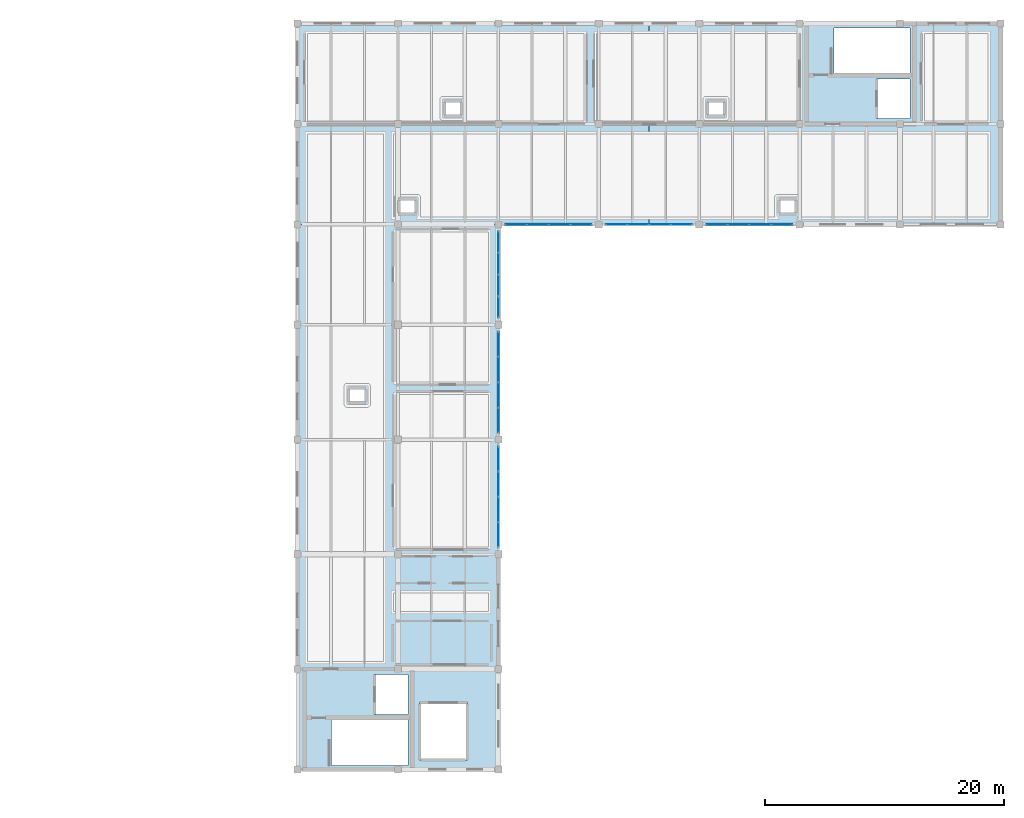
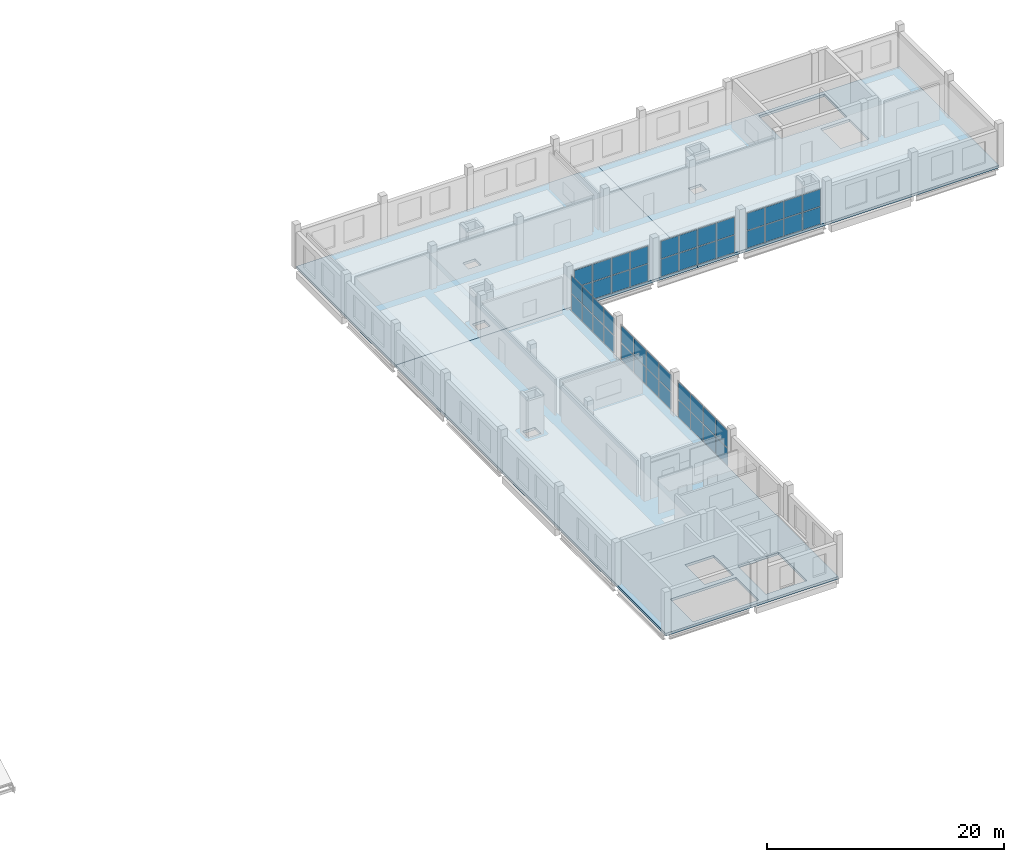
# One storey, part 40 of 54: 48 plates, 3 slabs, 6 elements without a shape of their own.
"""IFC4 building model written with IfcOpenShell, lengths in metres."""

from ifc_helpers import new_model, si_unit, direction, frame, origin, origin_2d, place, context, subcontext, project, spatial, polyline, rectangle, outline, extrude, material, layer, layer_set, type_object, element, aggregate, save


model = new_model("IFC4")

# Units and contexts
model_context = context("Model", 3, precision=1e-05, world=origin(), true_north=direction((0.0, 1.0)))
body_context = subcontext(model_context, "Body", "Model", "MODEL_VIEW")
ifc_project = project(units=[si_unit("LENGTHUNIT", "METRE"), si_unit("AREAUNIT", "SQUARE_METRE"), si_unit("VOLUMEUNIT", "CUBIC_METRE"), si_unit("PLANEANGLEUNIT", "RADIAN"), si_unit("MASSUNIT", "GRAM", prefix="KILO")], contexts=[model_context])

# Site, building, storey
site_placement = place(None, origin())
site = spatial("IfcSite", under=ifc_project, at=site_placement, CompositionType="ELEMENT")
building_placement = place(site_placement, origin())
building = spatial("IfcBuilding", under=site, at=building_placement, Name="Zulmaris Art Gallery", CompositionType="ELEMENT")
storey_placement = place(building_placement, frame((0.0, 0.0, 26.39990234375)))
storey = spatial("IfcBuildingStorey", under=building, at=storey_placement, Name="L05", CompositionType="ELEMENT", Elevation=26.39990234375)

# Curtain wall, plates
ifc_material_1 = material(Name="Courtyard Artists Studio Curtain Wall", Category="aluminium")
ifc_layer_1 = layer(ifc_material_1, 0.179931640625)
ifc_layer_set_1 = layer_set([ifc_layer_1], Name="Courtyard Artists Studio Curtain Wall")
curtain_wall_type = type_object("IfcCurtainWallType", Name="CW-CW04", PredefinedType="NOTDEFINED", material=ifc_layer_set_1)
curtain_wall_1_placement = place(storey_placement, origin())
curtain_wall_1 = element("IfcCurtainWall", 1, at=curtain_wall_1_placement, inside=storey, type_object=curtain_wall_type, Name="L05 curtain wall 165", PredefinedType="NOTDEFINED")
ifc_material_2 = material(Name="Triple Solar-Control Laminated Glass", Category="glass")
ifc_layer_2 = layer(ifc_material_2, 0.035888671875)
ifc_layer_set_2 = layer_set([ifc_layer_2], Name="Triple Solar-Control Laminated Glass")
plate_type = type_object("IfcPlateType", Name="CWPAN-GLZ", PredefinedType="CURTAIN_PANEL", material=ifc_layer_set_2)
plate_1_placement = place(storey_placement, frame((158.39990234375, 32.82373046875, 0.0751953125), z_axis=(0.0, 0.0, 1.0), x_axis=(0.0, 1.0, 0.0)))
plate_1 = element("IfcPlate", 2, at=plate_1_placement, type_object=plate_type, Name="CW04 panel 1.1", PredefinedType="CURTAIN_PANEL", context=body_context, shape_type="SweptSolid", body=[
    extrude(rectangle(XDim=2.017578125, YDim=0.031982421875, at=origin_2d()), origin(), (0.0, 0.0, 1.0), 1.777587890625),
])
plate_2_placement = place(storey_placement, frame((158.39990234375, 32.82373046875, 1.927734375), z_axis=(0.0, 0.0, 1.0), x_axis=(0.0, 1.0, 0.0)))
plate_2 = element("IfcPlate", 3, at=plate_2_placement, type_object=plate_type, Name="CW04 panel 1.2", PredefinedType="CURTAIN_PANEL", context=body_context, shape_type="SweptSolid", body=[
    extrude(rectangle(XDim=2.017578125, YDim=0.031982421875, at=origin_2d()), origin(), (0.0, 0.0, 1.0), 1.777587890625),
])
plate_3_placement = place(storey_placement, frame((158.39990234375, 34.93505859375, 0.0751953125), z_axis=(0.0, 0.0, 1.0), x_axis=(0.0, 1.0, 0.0)))
plate_3 = element("IfcPlate", 4, at=plate_3_placement, type_object=plate_type, Name="CW04 panel 2.1", PredefinedType="CURTAIN_PANEL", context=body_context, shape_type="SweptSolid", body=[
    extrude(rectangle(XDim=2.054931640625, YDim=0.031982421875, at=origin_2d()), origin(), (0.0, 0.0, 1.0), 1.777587890625),
])
plate_4_placement = place(storey_placement, frame((158.39990234375, 34.93505859375, 1.927734375), z_axis=(0.0, 0.0, 1.0), x_axis=(0.0, 1.0, 0.0)))
plate_4 = element("IfcPlate", 5, at=plate_4_placement, type_object=plate_type, Name="CW04 panel 2.2", PredefinedType="CURTAIN_PANEL", context=body_context, shape_type="SweptSolid", body=[
    extrude(rectangle(XDim=2.054931640625, YDim=0.031982421875, at=origin_2d()), origin(), (0.0, 0.0, 1.0), 1.777587890625),
])
plate_5_placement = place(storey_placement, frame((158.39990234375, 37.06494140625, 0.0751953125), z_axis=(0.0, 0.0, 1.0), x_axis=(0.0, 1.0, 0.0)))
plate_5 = element("IfcPlate", 6, at=plate_5_placement, type_object=plate_type, Name="CW04 panel 3.1", PredefinedType="CURTAIN_PANEL", context=body_context, shape_type="SweptSolid", body=[
    extrude(rectangle(XDim=2.054931640625, YDim=0.031982421875, at=origin_2d()), origin(), (0.0, 0.0, 1.0), 1.777587890625),
])
plate_6_placement = place(storey_placement, frame((158.39990234375, 37.06494140625, 1.927734375), z_axis=(0.0, 0.0, 1.0), x_axis=(0.0, 1.0, 0.0)))
plate_6 = element("IfcPlate", 7, at=plate_6_placement, type_object=plate_type, Name="CW04 panel 3.2", PredefinedType="CURTAIN_PANEL", context=body_context, shape_type="SweptSolid", body=[
    extrude(rectangle(XDim=2.054931640625, YDim=0.031982421875, at=origin_2d()), origin(), (0.0, 0.0, 1.0), 1.777587890625),
])
plate_7_placement = place(storey_placement, frame((158.39990234375, 39.17626953125, 0.0751953125), z_axis=(0.0, 0.0, 1.0), x_axis=(0.0, 1.0, 0.0)))
plate_7 = element("IfcPlate", 8, at=plate_7_placement, type_object=plate_type, Name="CW04 panel 4.1", PredefinedType="CURTAIN_PANEL", context=body_context, shape_type="SweptSolid", body=[
    extrude(rectangle(XDim=2.017578125, YDim=0.031982421875, at=origin_2d()), origin(), (0.0, 0.0, 1.0), 1.777587890625),
])
plate_8_placement = place(storey_placement, frame((158.39990234375, 39.17626953125, 1.927734375), z_axis=(0.0, 0.0, 1.0), x_axis=(0.0, 1.0, 0.0)))
plate_8 = element("IfcPlate", 9, at=plate_8_placement, type_object=plate_type, Name="CW04 panel 4.2", PredefinedType="CURTAIN_PANEL", context=body_context, shape_type="SweptSolid", body=[
    extrude(rectangle(XDim=2.017578125, YDim=0.031982421875, at=origin_2d()), origin(), (0.0, 0.0, 1.0), 1.777587890625),
])
aggregate(curtain_wall_1, [plate_1, plate_2, plate_3, plate_4, plate_5, plate_6, plate_7, plate_8])

curtain_wall_2_placement = place(storey_placement, origin())
curtain_wall_2 = element("IfcCurtainWall", 10, at=curtain_wall_2_placement, inside=storey, type_object=curtain_wall_type, Name="L05 curtain wall 166", PredefinedType="NOTDEFINED")
plate_9_placement = place(storey_placement, frame((158.39990234375, 42.423828125, 0.0751953125), z_axis=(0.0, 0.0, 1.0), x_axis=(0.0, 1.0, 0.0)))
plate_9 = element("IfcPlate", 11, at=plate_9_placement, type_object=plate_type, Name="CW04 panel 1.1", PredefinedType="CURTAIN_PANEL", context=body_context, shape_type="SweptSolid", body=[
    extrude(rectangle(XDim=2.017578125, YDim=0.031982421875, at=origin_2d()), origin(), (0.0, 0.0, 1.0), 1.75244140625),
])
plate_10_placement = place(storey_placement, frame((158.39990234375, 42.423828125, 1.902587890625), z_axis=(0.0, 0.0, 1.0), x_axis=(0.0, 1.0, 0.0)))
plate_10 = element("IfcPlate", 12, at=plate_10_placement, type_object=plate_type, Name="CW04 panel 1.2", PredefinedType="CURTAIN_PANEL", context=body_context, shape_type="SweptSolid", body=[
    extrude(rectangle(XDim=2.017578125, YDim=0.031982421875, at=origin_2d()), origin(), (0.0, 0.0, 1.0), 1.75244140625),
])
plate_11_placement = place(storey_placement, frame((158.39990234375, 44.534912109375, 0.0751953125), z_axis=(0.0, 0.0, 1.0), x_axis=(0.0, 1.0, 0.0)))
plate_11 = element("IfcPlate", 13, at=plate_11_placement, type_object=plate_type, Name="CW04 panel 2.1", PredefinedType="CURTAIN_PANEL", context=body_context, shape_type="SweptSolid", body=[
    extrude(rectangle(XDim=2.054931640625, YDim=0.031982421875, at=origin_2d()), origin(), (0.0, 0.0, 1.0), 1.75244140625),
])
plate_12_placement = place(storey_placement, frame((158.39990234375, 44.534912109375, 1.902587890625), z_axis=(0.0, 0.0, 1.0), x_axis=(0.0, 1.0, 0.0)))
plate_12 = element("IfcPlate", 14, at=plate_12_placement, type_object=plate_type, Name="CW04 panel 2.2", PredefinedType="CURTAIN_PANEL", context=body_context, shape_type="SweptSolid", body=[
    extrude(rectangle(XDim=2.054931640625, YDim=0.031982421875, at=origin_2d()), origin(), (0.0, 0.0, 1.0), 1.75244140625),
])
plate_13_placement = place(storey_placement, frame((158.39990234375, 46.6650390625, 0.0751953125), z_axis=(0.0, 0.0, 1.0), x_axis=(0.0, 1.0, 0.0)))
plate_13 = element("IfcPlate", 15, at=plate_13_placement, type_object=plate_type, Name="CW04 panel 3.1", PredefinedType="CURTAIN_PANEL", context=body_context, shape_type="SweptSolid", body=[
    extrude(rectangle(XDim=2.054931640625, YDim=0.031982421875, at=origin_2d()), origin(), (0.0, 0.0, 1.0), 1.75244140625),
])
plate_14_placement = place(storey_placement, frame((158.39990234375, 46.6650390625, 1.902587890625), z_axis=(0.0, 0.0, 1.0), x_axis=(0.0, 1.0, 0.0)))
plate_14 = element("IfcPlate", 16, at=plate_14_placement, type_object=plate_type, Name="CW04 panel 3.2", PredefinedType="CURTAIN_PANEL", context=body_context, shape_type="SweptSolid", body=[
    extrude(rectangle(XDim=2.054931640625, YDim=0.031982421875, at=origin_2d()), origin(), (0.0, 0.0, 1.0), 1.75244140625),
])
plate_15_placement = place(storey_placement, frame((158.39990234375, 48.7763671875, 0.0751953125), z_axis=(0.0, 0.0, 1.0), x_axis=(0.0, 1.0, 0.0)))
plate_15 = element("IfcPlate", 17, at=plate_15_placement, type_object=plate_type, Name="CW04 panel 4.1", PredefinedType="CURTAIN_PANEL", context=body_context, shape_type="SweptSolid", body=[
    extrude(rectangle(XDim=2.017578125, YDim=0.031982421875, at=origin_2d()), origin(), (0.0, 0.0, 1.0), 1.75244140625),
])
plate_16_placement = place(storey_placement, frame((158.39990234375, 48.7763671875, 1.902587890625), z_axis=(0.0, 0.0, 1.0), x_axis=(0.0, 1.0, 0.0)))
plate_16 = element("IfcPlate", 18, at=plate_16_placement, type_object=plate_type, Name="CW04 panel 4.2", PredefinedType="CURTAIN_PANEL", context=body_context, shape_type="SweptSolid", body=[
    extrude(rectangle(XDim=2.017578125, YDim=0.031982421875, at=origin_2d()), origin(), (0.0, 0.0, 1.0), 1.75244140625),
])
aggregate(curtain_wall_2, [plate_9, plate_10, plate_11, plate_12, plate_13, plate_14, plate_15, plate_16])

curtain_wall_3_placement = place(storey_placement, origin())
curtain_wall_3 = element("IfcCurtainWall", 19, at=curtain_wall_3_placement, inside=storey, type_object=curtain_wall_type, Name="L05 curtain wall 167", PredefinedType="NOTDEFINED")
plate_17_placement = place(storey_placement, frame((158.39990234375, 51.873779296875, 0.0751953125), z_axis=(0.0, 0.0, 1.0), x_axis=(0.0, 1.0, 0.0)))
plate_17 = element("IfcPlate", 20, at=plate_17_placement, type_object=plate_type, Name="CW04 panel 1.1", PredefinedType="CURTAIN_PANEL", context=body_context, shape_type="SweptSolid", body=[
    extrude(rectangle(XDim=1.717529296875, YDim=0.031982421875, at=origin_2d()), origin(), (0.0, 0.0, 1.0), 1.757568359375),
])
plate_18_placement = place(storey_placement, frame((158.39990234375, 51.873779296875, 1.90771484375), z_axis=(0.0, 0.0, 1.0), x_axis=(0.0, 1.0, 0.0)))
plate_18 = element("IfcPlate", 21, at=plate_18_placement, type_object=plate_type, Name="CW04 panel 1.2", PredefinedType="CURTAIN_PANEL", context=body_context, shape_type="SweptSolid", body=[
    extrude(rectangle(XDim=1.717529296875, YDim=0.031982421875, at=origin_2d()), origin(), (0.0, 0.0, 1.0), 1.757568359375),
])
plate_19_placement = place(storey_placement, frame((158.39990234375, 53.68505859375, 0.0751953125), z_axis=(0.0, 0.0, 1.0), x_axis=(0.0, 1.0, 0.0)))
plate_19 = element("IfcPlate", 22, at=plate_19_placement, type_object=plate_type, Name="CW04 panel 2.1", PredefinedType="CURTAIN_PANEL", context=body_context, shape_type="SweptSolid", body=[
    extrude(rectangle(XDim=1.7548828125, YDim=0.031982421875, at=origin_2d()), origin(), (0.0, 0.0, 1.0), 1.757568359375),
])
plate_20_placement = place(storey_placement, frame((158.39990234375, 53.68505859375, 1.90771484375), z_axis=(0.0, 0.0, 1.0), x_axis=(0.0, 1.0, 0.0)))
plate_20 = element("IfcPlate", 23, at=plate_20_placement, type_object=plate_type, Name="CW04 panel 2.2", PredefinedType="CURTAIN_PANEL", context=body_context, shape_type="SweptSolid", body=[
    extrude(rectangle(XDim=1.7548828125, YDim=0.031982421875, at=origin_2d()), origin(), (0.0, 0.0, 1.0), 1.757568359375),
])
plate_21_placement = place(storey_placement, frame((158.39990234375, 55.514892578125, 0.0751953125), z_axis=(0.0, 0.0, 1.0), x_axis=(0.0, 1.0, 0.0)))
plate_21 = element("IfcPlate", 24, at=plate_21_placement, type_object=plate_type, Name="CW04 panel 3.1", PredefinedType="CURTAIN_PANEL", context=body_context, shape_type="SweptSolid", body=[
    extrude(rectangle(XDim=1.7548828125, YDim=0.031982421875, at=origin_2d()), origin(), (0.0, 0.0, 1.0), 1.757568359375),
])
plate_22_placement = place(storey_placement, frame((158.39990234375, 55.514892578125, 1.90771484375), z_axis=(0.0, 0.0, 1.0), x_axis=(0.0, 1.0, 0.0)))
plate_22 = element("IfcPlate", 25, at=plate_22_placement, type_object=plate_type, Name="CW04 panel 3.2", PredefinedType="CURTAIN_PANEL", context=body_context, shape_type="SweptSolid", body=[
    extrude(rectangle(XDim=1.7548828125, YDim=0.031982421875, at=origin_2d()), origin(), (0.0, 0.0, 1.0), 1.757568359375),
])
plate_23_placement = place(storey_placement, frame((158.39990234375, 57.326171875, 0.0751953125), z_axis=(0.0, 0.0, 1.0), x_axis=(0.0, 1.0, 0.0)))
plate_23 = element("IfcPlate", 26, at=plate_23_placement, type_object=plate_type, Name="CW04 panel 4.1", PredefinedType="CURTAIN_PANEL", context=body_context, shape_type="SweptSolid", body=[
    extrude(rectangle(XDim=1.717529296875, YDim=0.031982421875, at=origin_2d()), origin(), (0.0, 0.0, 1.0), 1.757568359375),
])
plate_24_placement = place(storey_placement, frame((158.39990234375, 57.326171875, 1.90771484375), z_axis=(0.0, 0.0, 1.0), x_axis=(0.0, 1.0, 0.0)))
plate_24 = element("IfcPlate", 27, at=plate_24_placement, type_object=plate_type, Name="CW04 panel 4.2", PredefinedType="CURTAIN_PANEL", context=body_context, shape_type="SweptSolid", body=[
    extrude(rectangle(XDim=1.717529296875, YDim=0.031982421875, at=origin_2d()), origin(), (0.0, 0.0, 1.0), 1.757568359375),
])
aggregate(curtain_wall_3, [plate_17, plate_18, plate_19, plate_20, plate_21, plate_22, plate_23, plate_24])

curtain_wall_4_placement = place(storey_placement, origin())
curtain_wall_4 = element("IfcCurtainWall", 28, at=curtain_wall_4_placement, inside=storey, type_object=curtain_wall_type, Name="L05 curtain wall 168", PredefinedType="NOTDEFINED")
plate_25_placement = place(storey_placement, frame((165.326171875, 58.800048828125, 0.0751953125), z_axis=(0.0, 0.0, 1.0), x_axis=(-1.0, 0.0, 0.0)))
plate_25 = element("IfcPlate", 29, at=plate_25_placement, type_object=plate_type, Name="CW04 panel 1.1", PredefinedType="CURTAIN_PANEL", context=body_context, shape_type="SweptSolid", body=[
    extrude(rectangle(XDim=1.717529296875, YDim=0.031982421875, at=origin_2d()), origin(), (0.0, 0.0, 1.0), 1.757568359375),
])
plate_26_placement = place(storey_placement, frame((165.326171875, 58.800048828125, 1.90771484375), z_axis=(0.0, 0.0, 1.0), x_axis=(-1.0, 0.0, 0.0)))
plate_26 = element("IfcPlate", 30, at=plate_26_placement, type_object=plate_type, Name="CW04 panel 1.2", PredefinedType="CURTAIN_PANEL", context=body_context, shape_type="SweptSolid", body=[
    extrude(rectangle(XDim=1.717529296875, YDim=0.031982421875, at=origin_2d()), origin(), (0.0, 0.0, 1.0), 1.757568359375),
])
plate_27_placement = place(storey_placement, frame((163.514892578125, 58.800048828125, 0.0751953125), z_axis=(0.0, 0.0, 1.0), x_axis=(-1.0, 0.0, 0.0)))
plate_27 = element("IfcPlate", 31, at=plate_27_placement, type_object=plate_type, Name="CW04 panel 2.1", PredefinedType="CURTAIN_PANEL", context=body_context, shape_type="SweptSolid", body=[
    extrude(rectangle(XDim=1.7548828125, YDim=0.031982421875, at=origin_2d()), origin(), (0.0, 0.0, 1.0), 1.757568359375),
])
plate_28_placement = place(storey_placement, frame((163.514892578125, 58.800048828125, 1.90771484375), z_axis=(0.0, 0.0, 1.0), x_axis=(-1.0, 0.0, 0.0)))
plate_28 = element("IfcPlate", 32, at=plate_28_placement, type_object=plate_type, Name="CW04 panel 2.2", PredefinedType="CURTAIN_PANEL", context=body_context, shape_type="SweptSolid", body=[
    extrude(rectangle(XDim=1.7548828125, YDim=0.031982421875, at=origin_2d()), origin(), (0.0, 0.0, 1.0), 1.757568359375),
])
plate_29_placement = place(storey_placement, frame((161.68505859375, 58.800048828125, 0.0751953125), z_axis=(0.0, 0.0, 1.0), x_axis=(-1.0, 0.0, 0.0)))
plate_29 = element("IfcPlate", 33, at=plate_29_placement, type_object=plate_type, Name="CW04 panel 3.1", PredefinedType="CURTAIN_PANEL", context=body_context, shape_type="SweptSolid", body=[
    extrude(rectangle(XDim=1.7548828125, YDim=0.031982421875, at=origin_2d()), origin(), (0.0, 0.0, 1.0), 1.757568359375),
])
plate_30_placement = place(storey_placement, frame((161.68505859375, 58.800048828125, 1.90771484375), z_axis=(0.0, 0.0, 1.0), x_axis=(-1.0, 0.0, 0.0)))
plate_30 = element("IfcPlate", 34, at=plate_30_placement, type_object=plate_type, Name="CW04 panel 3.2", PredefinedType="CURTAIN_PANEL", context=body_context, shape_type="SweptSolid", body=[
    extrude(rectangle(XDim=1.7548828125, YDim=0.031982421875, at=origin_2d()), origin(), (0.0, 0.0, 1.0), 1.757568359375),
])
plate_31_placement = place(storey_placement, frame((159.873779296875, 58.800048828125, 0.0751953125), z_axis=(0.0, 0.0, 1.0), x_axis=(-1.0, 0.0, 0.0)))
plate_31 = element("IfcPlate", 35, at=plate_31_placement, type_object=plate_type, Name="CW04 panel 4.1", PredefinedType="CURTAIN_PANEL", context=body_context, shape_type="SweptSolid", body=[
    extrude(rectangle(XDim=1.717529296875, YDim=0.031982421875, at=origin_2d()), origin(), (0.0, 0.0, 1.0), 1.757568359375),
])
plate_32_placement = place(storey_placement, frame((159.873779296875, 58.800048828125, 1.90771484375), z_axis=(0.0, 0.0, 1.0), x_axis=(-1.0, 0.0, 0.0)))
plate_32 = element("IfcPlate", 36, at=plate_32_placement, type_object=plate_type, Name="CW04 panel 4.2", PredefinedType="CURTAIN_PANEL", context=body_context, shape_type="SweptSolid", body=[
    extrude(rectangle(XDim=1.717529296875, YDim=0.031982421875, at=origin_2d()), origin(), (0.0, 0.0, 1.0), 1.757568359375),
])
aggregate(curtain_wall_4, [plate_25, plate_26, plate_27, plate_28, plate_29, plate_30, plate_31, plate_32])

curtain_wall_5_placement = place(storey_placement, origin())
curtain_wall_5 = element("IfcCurtainWall", 37, at=curtain_wall_5_placement, inside=storey, type_object=curtain_wall_type, Name="L05 curtain wall 169", PredefinedType="NOTDEFINED")
plate_33_placement = place(storey_placement, frame((173.726318359375, 58.800048828125, 0.0751953125), z_axis=(0.0, 0.0, 1.0), x_axis=(-1.0, 0.0, 0.0)))
plate_33 = element("IfcPlate", 38, at=plate_33_placement, type_object=plate_type, Name="CW04 panel 1.1", PredefinedType="CURTAIN_PANEL", context=body_context, shape_type="SweptSolid", body=[
    extrude(rectangle(XDim=1.717529296875, YDim=0.031982421875, at=origin_2d()), origin(), (0.0, 0.0, 1.0), 1.777587890625),
])
plate_34_placement = place(storey_placement, frame((173.726318359375, 58.800048828125, 1.927734375), z_axis=(0.0, 0.0, 1.0), x_axis=(-1.0, 0.0, 0.0)))
plate_34 = element("IfcPlate", 39, at=plate_34_placement, type_object=plate_type, Name="CW04 panel 1.2", PredefinedType="CURTAIN_PANEL", context=body_context, shape_type="SweptSolid", body=[
    extrude(rectangle(XDim=1.717529296875, YDim=0.031982421875, at=origin_2d()), origin(), (0.0, 0.0, 1.0), 1.777587890625),
])
plate_35_placement = place(storey_placement, frame((171.9150390625, 58.800048828125, 0.0751953125), z_axis=(0.0, 0.0, 1.0), x_axis=(-1.0, 0.0, 0.0)))
plate_35 = element("IfcPlate", 40, at=plate_35_placement, type_object=plate_type, Name="CW04 panel 2.1", PredefinedType="CURTAIN_PANEL", context=body_context, shape_type="SweptSolid", body=[
    extrude(rectangle(XDim=1.7548828125, YDim=0.031982421875, at=origin_2d()), origin(), (0.0, 0.0, 1.0), 1.777587890625),
])
plate_36_placement = place(storey_placement, frame((171.9150390625, 58.800048828125, 1.927734375), z_axis=(0.0, 0.0, 1.0), x_axis=(-1.0, 0.0, 0.0)))
plate_36 = element("IfcPlate", 41, at=plate_36_placement, type_object=plate_type, Name="CW04 panel 2.2", PredefinedType="CURTAIN_PANEL", context=body_context, shape_type="SweptSolid", body=[
    extrude(rectangle(XDim=1.7548828125, YDim=0.031982421875, at=origin_2d()), origin(), (0.0, 0.0, 1.0), 1.777587890625),
])
plate_37_placement = place(storey_placement, frame((170.0849609375, 58.800048828125, 0.0751953125), z_axis=(0.0, 0.0, 1.0), x_axis=(-1.0, 0.0, 0.0)))
plate_37 = element("IfcPlate", 42, at=plate_37_placement, type_object=plate_type, Name="CW04 panel 3.1", PredefinedType="CURTAIN_PANEL", context=body_context, shape_type="SweptSolid", body=[
    extrude(rectangle(XDim=1.7548828125, YDim=0.031982421875, at=origin_2d()), origin(), (0.0, 0.0, 1.0), 1.777587890625),
])
plate_38_placement = place(storey_placement, frame((170.0849609375, 58.800048828125, 1.927734375), z_axis=(0.0, 0.0, 1.0), x_axis=(-1.0, 0.0, 0.0)))
plate_38 = element("IfcPlate", 43, at=plate_38_placement, type_object=plate_type, Name="CW04 panel 3.2", PredefinedType="CURTAIN_PANEL", context=body_context, shape_type="SweptSolid", body=[
    extrude(rectangle(XDim=1.7548828125, YDim=0.031982421875, at=origin_2d()), origin(), (0.0, 0.0, 1.0), 1.777587890625),
])
plate_39_placement = place(storey_placement, frame((168.273681640625, 58.800048828125, 0.0751953125), z_axis=(0.0, 0.0, 1.0), x_axis=(-1.0, 0.0, 0.0)))
plate_39 = element("IfcPlate", 44, at=plate_39_placement, type_object=plate_type, Name="CW04 panel 4.1", PredefinedType="CURTAIN_PANEL", context=body_context, shape_type="SweptSolid", body=[
    extrude(rectangle(XDim=1.717529296875, YDim=0.031982421875, at=origin_2d()), origin(), (0.0, 0.0, 1.0), 1.777587890625),
])
plate_40_placement = place(storey_placement, frame((168.273681640625, 58.800048828125, 1.927734375), z_axis=(0.0, 0.0, 1.0), x_axis=(-1.0, 0.0, 0.0)))
plate_40 = element("IfcPlate", 45, at=plate_40_placement, type_object=plate_type, Name="CW04 panel 4.2", PredefinedType="CURTAIN_PANEL", context=body_context, shape_type="SweptSolid", body=[
    extrude(rectangle(XDim=1.717529296875, YDim=0.031982421875, at=origin_2d()), origin(), (0.0, 0.0, 1.0), 1.777587890625),
])
aggregate(curtain_wall_5, [plate_33, plate_34, plate_35, plate_36, plate_37, plate_38, plate_39, plate_40])

curtain_wall_6_placement = place(storey_placement, origin())
curtain_wall_6 = element("IfcCurtainWall", 46, at=curtain_wall_6_placement, inside=storey, type_object=curtain_wall_type, Name="L05 curtain wall 170", PredefinedType="NOTDEFINED")
plate_41_placement = place(storey_placement, frame((182.126220703125, 58.800048828125, 0.0751953125), z_axis=(0.0, 0.0, 1.0), x_axis=(-1.0, 0.0, 0.0)))
plate_41 = element("IfcPlate", 47, at=plate_41_placement, type_object=plate_type, Name="CW04 panel 1.1", PredefinedType="CURTAIN_PANEL", context=body_context, shape_type="SweptSolid", body=[
    extrude(rectangle(XDim=1.717529296875, YDim=0.031982421875, at=origin_2d()), origin(), (0.0, 0.0, 1.0), 1.75244140625),
])
plate_42_placement = place(storey_placement, frame((182.126220703125, 58.800048828125, 1.902587890625), z_axis=(0.0, 0.0, 1.0), x_axis=(-1.0, 0.0, 0.0)))
plate_42 = element("IfcPlate", 48, at=plate_42_placement, type_object=plate_type, Name="CW04 panel 1.2", PredefinedType="CURTAIN_PANEL", context=body_context, shape_type="SweptSolid", body=[
    extrude(rectangle(XDim=1.717529296875, YDim=0.031982421875, at=origin_2d()), origin(), (0.0, 0.0, 1.0), 1.75244140625),
])
plate_43_placement = place(storey_placement, frame((180.31494140625, 58.800048828125, 0.0751953125), z_axis=(0.0, 0.0, 1.0), x_axis=(-1.0, 0.0, 0.0)))
plate_43 = element("IfcPlate", 49, at=plate_43_placement, type_object=plate_type, Name="CW04 panel 2.1", PredefinedType="CURTAIN_PANEL", context=body_context, shape_type="SweptSolid", body=[
    extrude(rectangle(XDim=1.7548828125, YDim=0.031982421875, at=origin_2d()), origin(), (0.0, 0.0, 1.0), 1.75244140625),
])
plate_44_placement = place(storey_placement, frame((180.31494140625, 58.800048828125, 1.902587890625), z_axis=(0.0, 0.0, 1.0), x_axis=(-1.0, 0.0, 0.0)))
plate_44 = element("IfcPlate", 50, at=plate_44_placement, type_object=plate_type, Name="CW04 panel 2.2", PredefinedType="CURTAIN_PANEL", context=body_context, shape_type="SweptSolid", body=[
    extrude(rectangle(XDim=1.7548828125, YDim=0.031982421875, at=origin_2d()), origin(), (0.0, 0.0, 1.0), 1.75244140625),
])
plate_45_placement = place(storey_placement, frame((178.485107421875, 58.800048828125, 0.0751953125), z_axis=(0.0, 0.0, 1.0), x_axis=(-1.0, 0.0, 0.0)))
plate_45 = element("IfcPlate", 51, at=plate_45_placement, type_object=plate_type, Name="CW04 panel 3.1", PredefinedType="CURTAIN_PANEL", context=body_context, shape_type="SweptSolid", body=[
    extrude(rectangle(XDim=1.7548828125, YDim=0.031982421875, at=origin_2d()), origin(), (0.0, 0.0, 1.0), 1.75244140625),
])
plate_46_placement = place(storey_placement, frame((178.485107421875, 58.800048828125, 1.902587890625), z_axis=(0.0, 0.0, 1.0), x_axis=(-1.0, 0.0, 0.0)))
plate_46 = element("IfcPlate", 52, at=plate_46_placement, type_object=plate_type, Name="CW04 panel 3.2", PredefinedType="CURTAIN_PANEL", context=body_context, shape_type="SweptSolid", body=[
    extrude(rectangle(XDim=1.7548828125, YDim=0.031982421875, at=origin_2d()), origin(), (0.0, 0.0, 1.0), 1.75244140625),
])
plate_47_placement = place(storey_placement, frame((176.673828125, 58.800048828125, 0.0751953125), z_axis=(0.0, 0.0, 1.0), x_axis=(-1.0, 0.0, 0.0)))
plate_47 = element("IfcPlate", 53, at=plate_47_placement, type_object=plate_type, Name="CW04 panel 4.1", PredefinedType="CURTAIN_PANEL", context=body_context, shape_type="SweptSolid", body=[
    extrude(rectangle(XDim=1.717529296875, YDim=0.031982421875, at=origin_2d()), origin(), (0.0, 0.0, 1.0), 1.75244140625),
])
plate_48_placement = place(storey_placement, frame((176.673828125, 58.800048828125, 1.902587890625), z_axis=(0.0, 0.0, 1.0), x_axis=(-1.0, 0.0, 0.0)))
plate_48 = element("IfcPlate", 54, at=plate_48_placement, type_object=plate_type, Name="CW04 panel 4.2", PredefinedType="CURTAIN_PANEL", context=body_context, shape_type="SweptSolid", body=[
    extrude(rectangle(XDim=1.717529296875, YDim=0.031982421875, at=origin_2d()), origin(), (0.0, 0.0, 1.0), 1.75244140625),
])
aggregate(curtain_wall_6, [plate_41, plate_42, plate_43, plate_44, plate_45, plate_46, plate_47, plate_48])

# Slabs
ifc_material_3 = material(Name="Concrete C40/50", Category="concrete")
ifc_layer_3 = layer(ifc_material_3, 0.260009765625)
ifc_layer_set_3 = layer_set([ifc_layer_3], Name="Concrete C40/50")
slab_type = type_object("IfcSlabType", Name="SLAB-SL-FL04", PredefinedType="FLOOR", material=ifc_layer_set_3)
slab_1_placement = place(storey_placement, frame((0.0, 0.0, -0.260009765625)))
element("IfcSlab", 55, at=slab_1_placement, inside=storey, type_object=slab_type, Name="L05 V5-SW slab", PredefinedType="FLOOR", context=body_context, shape_type="SweptSolid", body=[
    extrude(outline(polyline([(158.39990234375, 58.800048828125), (158.39990234375, 31.199951171875), (158.39990234375, 13.199951171875), (141.60009765625, 13.199951171875), (141.60009765625, 58.800048828125), (158.39990234375, 58.800048828125)]), holes=[polyline([(144.4599609375, 13.550048828125), (150.85009765625, 13.550048828125), (150.85009765625, 17.389892578125), (144.4599609375, 17.389892578125), (144.4599609375, 13.550048828125)]), polyline([(155.800048828125, 14.0), (155.800048828125, 18.800048828125), (151.800048828125, 18.800048828125), (151.800048828125, 14.0), (155.800048828125, 14.0)]), polyline([(150.85009765625, 21.14990234375), (148.050048828125, 21.14990234375), (148.050048828125, 17.820068359375), (150.85009765625, 17.820068359375), (150.85009765625, 21.14990234375)]), polyline([(147.199951171875, 44.0), (147.199951171875, 45.0), (146.0, 45.0), (146.0, 44.0), (147.199951171875, 44.0)])]), origin(), (0.0, 0.0, 1.0), 0.260009765625),
])
slab_2_placement = place(storey_placement, frame((0.0, 0.0, -0.260009765625)))
element("IfcSlab", 56, at=slab_2_placement, inside=storey, type_object=slab_type, Name="L05 V5-NW slab", PredefinedType="FLOOR", context=body_context, shape_type="SweptSolid", body=[
    extrude(outline(polyline([(171.0, 75.60009765625), (171.0, 58.800048828125), (158.39990234375, 58.800048828125), (141.60009765625, 58.800048828125), (141.60009765625, 75.60009765625), (171.0, 75.60009765625)]), holes=[polyline([(151.39990234375, 60.800048828125), (150.199951171875, 60.800048828125), (150.199951171875, 59.800048828125), (151.39990234375, 59.800048828125), (151.39990234375, 60.800048828125)]), polyline([(155.199951171875, 68.0), (155.199951171875, 69.0), (154.0, 69.0), (154.0, 68.0), (155.199951171875, 68.0)])]), origin(), (0.0, 0.0, 1.0), 0.260009765625),
])
slab_3_placement = place(storey_placement, frame((0.0, 0.0, -0.260009765625)))
element("IfcSlab", 57, at=slab_3_placement, inside=storey, type_object=slab_type, Name="L05 V5-NE slab", PredefinedType="FLOOR", context=body_context, shape_type="SweptSolid", body=[
    extrude(outline(polyline([(200.39990234375, 58.800048828125), (183.60009765625, 58.800048828125), (171.0, 58.800048828125), (171.0, 75.60009765625), (200.39990234375, 75.60009765625), (200.39990234375, 58.800048828125)]), holes=[polyline([(183.199951171875, 59.800048828125), (183.199951171875, 60.800048828125), (182.0, 60.800048828125), (182.0, 59.800048828125), (183.199951171875, 59.800048828125)]), polyline([(177.199951171875, 69.0), (176.0, 69.0), (176.0, 68.0), (177.199951171875, 68.0), (177.199951171875, 69.0)]), polyline([(192.85009765625, 67.64990234375), (192.85009765625, 70.97998046875), (190.050048828125, 70.97998046875), (190.050048828125, 67.64990234375), (192.85009765625, 67.64990234375)]), polyline([(186.4599609375, 71.409912109375), (192.85009765625, 71.409912109375), (192.85009765625, 75.25), (186.4599609375, 75.25), (186.4599609375, 71.409912109375)])]), origin(), (0.0, 0.0, 1.0), 0.260009765625),
])

save(model, "model.ifc")
